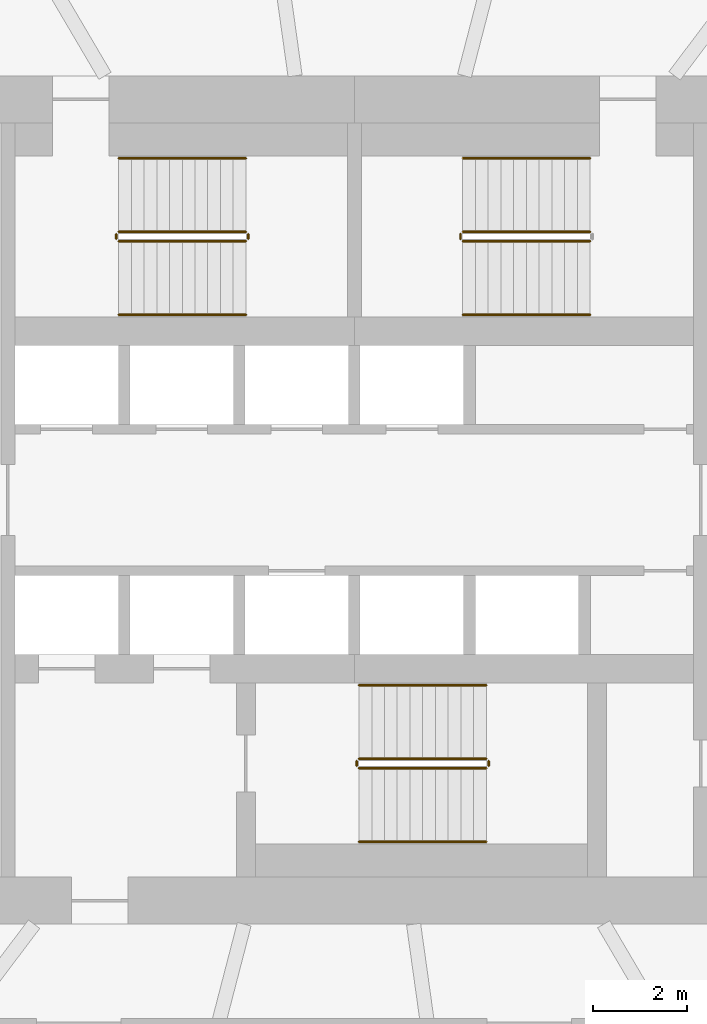
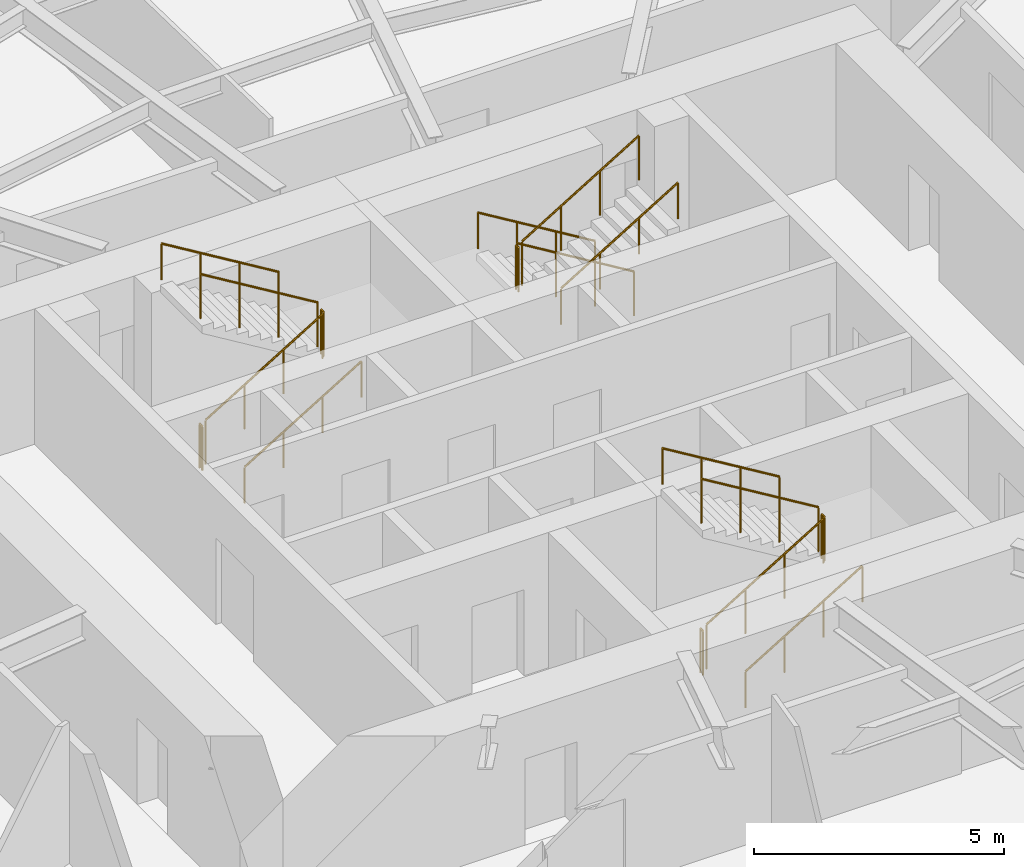
# One storey, part 13 of 16: 17 railings.
"""IFC4 building model written with IfcOpenShell, lengths in metres."""

from ifc_helpers import new_model, si_unit, direction, frame, origin, origin_2d, place, context, subcontext, project, spatial, circle, extrude, material, type_object, element, save


model = new_model("IFC4")

# Units and contexts
model_context = context("Model", 3, precision=1e-05, world=origin(), true_north=direction((0.0, 1.0)))
body_context = subcontext(model_context, "Body", "Model", "MODEL_VIEW")
ifc_project = project(units=[si_unit("LENGTHUNIT", "METRE"), si_unit("AREAUNIT", "SQUARE_METRE"), si_unit("VOLUMEUNIT", "CUBIC_METRE"), si_unit("PLANEANGLEUNIT", "RADIAN"), si_unit("MASSUNIT", "GRAM", prefix="KILO")], contexts=[model_context])

# Site, building, storey
site_placement = place(None, origin())
site = spatial("IfcSite", under=ifc_project, at=site_placement, CompositionType="ELEMENT")
building_placement = place(site_placement, origin())
building = spatial("IfcBuilding", under=site, at=building_placement, Name="Vermilion Reach Broadcast Tower", CompositionType="ELEMENT")
storey_placement = place(building_placement, frame((0.0, 0.0, 110.199951171875)))
storey = spatial("IfcBuildingStorey", under=building, at=storey_placement, Name="L25", CompositionType="ELEMENT", Elevation=110.199951171875)

# Railings
ifc_material_1 = material(Name="Stainless steel", Category="steel")
railing_type_1 = type_object("IfcRailingType", Name="Stair guard 1100", PredefinedType="GUARDRAIL", material=ifc_material_1)
railing_1_placement = place(storey_placement, frame((-11.0, 5.489990234375, 0.16357421875)))
element("IfcRailing", 1, at=railing_1_placement, inside=storey, type_object=railing_type_1, Name="L25 ST1 stair guard 1", PredefinedType="GUARDRAIL", context=body_context, shape_type="SweptSolid", body=[
    extrude(circle(Radius=0.02392578125, at=origin_2d()), frame((0.0, 0.0, 1.076171875), z_axis=(0.855178096276, 0.0, 0.518334277904), x_axis=(0.0, 1.0, 0.0)), (0.0, 0.0, 1.0), 3.1572265625),
    extrude(circle(Radius=0.02099609375, at=origin_2d()), origin(), (0.0, 0.0, 1.0), 1.052001953125),
    extrude(circle(Radius=0.02099609375, at=origin_2d()), frame((0.89990234375, 0.0, 0.54541015625)), (0.0, 0.0, 1.0), 1.052001953125),
    extrude(circle(Radius=0.02099609375, at=origin_2d()), frame((1.800048828125, 0.0, 1.091064453125)), (0.0, 0.0, 1.0), 1.052001953125),
    extrude(circle(Radius=0.02099609375, at=origin_2d()), frame((2.699951171875, 0.0, 1.636474609375)), (0.0, 0.0, 1.0), 1.052001953125),
])
railing_2_placement = place(storey_placement, frame((-8.25, 5.5400390625, 1.800048828125)))
element("IfcRailing", 2, at=railing_2_placement, inside=storey, type_object=railing_type_1, Name="L25 ST1 stair guard 2", PredefinedType="GUARDRAIL", context=body_context, shape_type="SweptSolid", body=[
    extrude(circle(Radius=0.02392578125, at=origin_2d()), frame((0.0, 0.0, 1.076171875), z_axis=(0.0, 1.0, 0.0), x_axis=(-1.0, 0.0, 0.0)), (0.0, 0.0, 1.0), 0.099853515625),
    extrude(circle(Radius=0.02099609375, at=origin_2d()), origin(), (0.0, 0.0, 1.0), 1.052001953125),
    extrude(circle(Radius=0.02099609375, at=origin_2d()), frame((0.0, 0.099853515625, 0.0)), (0.0, 0.0, 1.0), 1.052001953125),
])
railing_3_placement = place(storey_placement, frame((-8.300048828125, 5.68994140625, 1.963623046875)))
element("IfcRailing", 3, at=railing_3_placement, inside=storey, type_object=railing_type_1, Name="L25 ST1 stair guard 3", PredefinedType="GUARDRAIL", context=body_context, shape_type="SweptSolid", body=[
    extrude(circle(Radius=0.02392578125, at=origin_2d()), frame((0.0, 0.0, 1.076171875), z_axis=(-0.855178096276, 0.0, 0.518334277904), x_axis=(0.0, -1.0, 0.0)), (0.0, 0.0, 1.0), 3.1572265625),
    extrude(circle(Radius=0.02099609375, at=origin_2d()), origin(), (0.0, 0.0, 1.0), 1.052001953125),
    extrude(circle(Radius=0.02099609375, at=origin_2d()), frame((-0.89990234375, 0.0, 0.54541015625)), (0.0, 0.0, 1.0), 1.052001953125),
    extrude(circle(Radius=0.02099609375, at=origin_2d()), frame((-1.800048828125, 0.0, 1.091064453125)), (0.0, 0.0, 1.0), 1.052001953125),
    extrude(circle(Radius=0.02099609375, at=origin_2d()), frame((-2.699951171875, 0.0, 1.636474609375)), (0.0, 0.0, 1.0), 1.052001953125),
])
railing_4_placement = place(storey_placement, frame((-11.050048828125, 5.5400390625, 0.0)))
element("IfcRailing", 4, at=railing_4_placement, inside=storey, type_object=railing_type_1, Name="L25 ST1 stair guard 4", PredefinedType="GUARDRAIL", context=body_context, shape_type="SweptSolid", body=[
    extrude(circle(Radius=0.02392578125, at=origin_2d()), frame((0.0, 0.0, 1.076171875), z_axis=(0.0, 1.0, 0.0), x_axis=(-1.0, 0.0, 0.0)), (0.0, 0.0, 1.0), 0.099853515625),
    extrude(circle(Radius=0.02099609375, at=origin_2d()), origin(), (0.0, 0.0, 1.0), 1.052001953125),
    extrude(circle(Radius=0.02099609375, at=origin_2d()), frame((0.0, 0.099853515625, 0.0)), (0.0, 0.0, 1.0), 1.052001953125),
])
railing_5_placement = place(storey_placement, frame((-1.0, 5.68994140625, 0.16357421875)))
element("IfcRailing", 5, at=railing_5_placement, inside=storey, type_object=railing_type_1, Name="L25 ST2 stair guard 1", PredefinedType="GUARDRAIL", context=body_context, shape_type="SweptSolid", body=[
    extrude(circle(Radius=0.02392578125, at=origin_2d()), frame((0.0, 0.0, 1.076171875), z_axis=(-0.855178096276, 0.0, 0.518334277904), x_axis=(0.0, -1.0, 0.0)), (0.0, 0.0, 1.0), 3.1572265625),
    extrude(circle(Radius=0.02099609375, at=origin_2d()), origin(), (0.0, 0.0, 1.0), 1.052001953125),
    extrude(circle(Radius=0.02099609375, at=origin_2d()), frame((-0.89990234375, 0.0, 0.54541015625)), (0.0, 0.0, 1.0), 1.052001953125),
    extrude(circle(Radius=0.02099609375, at=origin_2d()), frame((-1.800048828125, 0.0, 1.091064453125)), (0.0, 0.0, 1.0), 1.052001953125),
    extrude(circle(Radius=0.02099609375, at=origin_2d()), frame((-2.699951171875, 0.0, 1.636474609375)), (0.0, 0.0, 1.0), 1.052001953125),
])
railing_6_placement = place(storey_placement, frame((-3.75, 5.639892578125, 1.800048828125)))
element("IfcRailing", 6, at=railing_6_placement, inside=storey, type_object=railing_type_1, Name="L25 ST2 stair guard 2", PredefinedType="GUARDRAIL", context=body_context, shape_type="SweptSolid", body=[
    extrude(circle(Radius=0.02392578125, at=origin_2d()), frame((0.0, 0.0, 1.076171875), z_axis=(0.0, -1.0, 0.0), x_axis=(1.0, 0.0, 0.0)), (0.0, 0.0, 1.0), 0.099853515625),
    extrude(circle(Radius=0.02099609375, at=origin_2d()), origin(), (0.0, 0.0, 1.0), 1.052001953125),
    extrude(circle(Radius=0.02099609375, at=origin_2d()), frame((0.0, -0.099853515625, 0.0)), (0.0, 0.0, 1.0), 1.052001953125),
])
for number, where, name in (
    (7, (-3.699951171875, 5.489990234375, 1.963623046875), "L25 ST2 stair guard 3"),
    (8, (-5.89990234375, -5.68994140625, 0.16357421875), "L25 ST3 stair guard 1"),
):
    element("IfcRailing", number, at=place(storey_placement, frame(where)), inside=storey, type_object=railing_type_1, Name=name, PredefinedType="GUARDRAIL", context=body_context, shape_type="SweptSolid", body=[
        extrude(circle(Radius=0.02392578125, at=origin_2d()), frame((0.0, 0.0, 1.076171875), z_axis=(0.855178096276, 0.0, 0.518334277904), x_axis=(0.0, 1.0, 0.0)), (0.0, 0.0, 1.0), 3.1572265625),
        extrude(circle(Radius=0.02099609375, at=origin_2d()), origin(), (0.0, 0.0, 1.0), 1.052001953125),
        extrude(circle(Radius=0.02099609375, at=origin_2d()), frame((0.89990234375, 0.0, 0.54541015625)), (0.0, 0.0, 1.0), 1.052001953125),
        extrude(circle(Radius=0.02099609375, at=origin_2d()), frame((1.800048828125, 0.0, 1.091064453125)), (0.0, 0.0, 1.0), 1.052001953125),
        extrude(circle(Radius=0.02099609375, at=origin_2d()), frame((2.699951171875, 0.0, 1.636474609375)), (0.0, 0.0, 1.0), 1.052001953125),
    ])
railing_7_placement = place(storey_placement, frame((-3.14990234375, -5.639892578125, 1.800048828125)))
element("IfcRailing", 9, at=railing_7_placement, inside=storey, type_object=railing_type_1, Name="L25 ST3 stair guard 2", PredefinedType="GUARDRAIL", context=body_context, shape_type="SweptSolid", body=[
    extrude(circle(Radius=0.02392578125, at=origin_2d()), frame((0.0, 0.0, 1.076171875), z_axis=(0.0, 1.0, 0.0), x_axis=(-1.0, 0.0, 0.0)), (0.0, 0.0, 1.0), 0.099853515625),
    extrude(circle(Radius=0.02099609375, at=origin_2d()), origin(), (0.0, 0.0, 1.0), 1.052001953125),
    extrude(circle(Radius=0.02099609375, at=origin_2d()), frame((0.0, 0.099853515625, 0.0)), (0.0, 0.0, 1.0), 1.052001953125),
])
railing_8_placement = place(storey_placement, frame((-3.199951171875, -5.489990234375, 1.963623046875)))
element("IfcRailing", 10, at=railing_8_placement, inside=storey, type_object=railing_type_1, Name="L25 ST3 stair guard 3", PredefinedType="GUARDRAIL", context=body_context, shape_type="SweptSolid", body=[
    extrude(circle(Radius=0.02392578125, at=origin_2d()), frame((0.0, 0.0, 1.076171875), z_axis=(-0.855178096276, 0.0, 0.518334277904), x_axis=(0.0, -1.0, 0.0)), (0.0, 0.0, 1.0), 3.1572265625),
    extrude(circle(Radius=0.02099609375, at=origin_2d()), origin(), (0.0, 0.0, 1.0), 1.052001953125),
    extrude(circle(Radius=0.02099609375, at=origin_2d()), frame((-0.89990234375, 0.0, 0.54541015625)), (0.0, 0.0, 1.0), 1.052001953125),
    extrude(circle(Radius=0.02099609375, at=origin_2d()), frame((-1.800048828125, 0.0, 1.091064453125)), (0.0, 0.0, 1.0), 1.052001953125),
    extrude(circle(Radius=0.02099609375, at=origin_2d()), frame((-2.699951171875, 0.0, 1.636474609375)), (0.0, 0.0, 1.0), 1.052001953125),
])
railing_9_placement = place(storey_placement, frame((-5.949951171875, -5.639892578125, 0.0)))
element("IfcRailing", 11, at=railing_9_placement, inside=storey, type_object=railing_type_1, Name="L25 ST3 stair guard 4", PredefinedType="GUARDRAIL", context=body_context, shape_type="SweptSolid", body=[
    extrude(circle(Radius=0.02392578125, at=origin_2d()), frame((0.0, 0.0, 1.076171875), z_axis=(0.0, 1.0, 0.0), x_axis=(-1.0, 0.0, 0.0)), (0.0, 0.0, 1.0), 0.099853515625),
    extrude(circle(Radius=0.02099609375, at=origin_2d()), origin(), (0.0, 0.0, 1.0), 1.052001953125),
    extrude(circle(Radius=0.02099609375, at=origin_2d()), frame((0.0, 0.099853515625, 0.0)), (0.0, 0.0, 1.0), 1.052001953125),
])
ifc_material_2 = material(Name="Stainless steel", Category="steel")
railing_type_2 = type_object("IfcRailingType", Name="Stair handrail", PredefinedType="HANDRAIL", material=ifc_material_2)
railing_10_placement = place(storey_placement, frame((-11.0, 3.929931640625, 0.16357421875)))
element("IfcRailing", 12, at=railing_10_placement, inside=storey, type_object=railing_type_2, Name="L25 ST1 stair handrail 1", PredefinedType="HANDRAIL", context=body_context, shape_type="SweptSolid", body=[
    extrude(circle(Radius=0.02392578125, at=origin_2d()), frame((0.0, 0.0, 0.8759765625), z_axis=(0.855178096276, 0.0, 0.518334277904), x_axis=(0.0, 1.0, 0.0)), (0.0, 0.0, 1.0), 3.1572265625),
    extrude(circle(Radius=0.02099609375, at=origin_2d()), origin(), (0.0, 0.0, 1.0), 0.851806640625),
    extrude(circle(Radius=0.02099609375, at=origin_2d()), frame((0.89990234375, 0.0, 0.54541015625)), (0.0, 0.0, 1.0), 0.851806640625),
    extrude(circle(Radius=0.02099609375, at=origin_2d()), frame((1.800048828125, 0.0, 1.091064453125)), (0.0, 0.0, 1.0), 0.851806640625),
    extrude(circle(Radius=0.02099609375, at=origin_2d()), frame((2.699951171875, 0.0, 1.636474609375)), (0.0, 0.0, 1.0), 0.851806640625),
])
for number, where, name in (
    (13, (-8.300048828125, 7.25, 1.963623046875), "L25 ST1 stair handrail 2"),
    (14, (-1.0, 7.25, 0.16357421875), "L25 ST2 stair handrail 1"),
):
    element("IfcRailing", number, at=place(storey_placement, frame(where)), inside=storey, type_object=railing_type_2, Name=name, PredefinedType="HANDRAIL", context=body_context, shape_type="SweptSolid", body=[
        extrude(circle(Radius=0.02392578125, at=origin_2d()), frame((0.0, 0.0, 0.8759765625), z_axis=(-0.855178096276, 0.0, 0.518334277904), x_axis=(0.0, -1.0, 0.0)), (0.0, 0.0, 1.0), 3.1572265625),
        extrude(circle(Radius=0.02099609375, at=origin_2d()), origin(), (0.0, 0.0, 1.0), 0.851806640625),
        extrude(circle(Radius=0.02099609375, at=origin_2d()), frame((-0.89990234375, 0.0, 0.54541015625)), (0.0, 0.0, 1.0), 0.851806640625),
        extrude(circle(Radius=0.02099609375, at=origin_2d()), frame((-1.800048828125, 0.0, 1.091064453125)), (0.0, 0.0, 1.0), 0.851806640625),
        extrude(circle(Radius=0.02099609375, at=origin_2d()), frame((-2.699951171875, 0.0, 1.636474609375)), (0.0, 0.0, 1.0), 0.851806640625),
    ])
for number, where, name in (
    (15, (-3.699951171875, 3.929931640625, 1.963623046875), "L25 ST2 stair handrail 2"),
    (16, (-5.89990234375, -7.25, 0.16357421875), "L25 ST3 stair handrail 1"),
):
    element("IfcRailing", number, at=place(storey_placement, frame(where)), inside=storey, type_object=railing_type_2, Name=name, PredefinedType="HANDRAIL", context=body_context, shape_type="SweptSolid", body=[
        extrude(circle(Radius=0.02392578125, at=origin_2d()), frame((0.0, 0.0, 0.8759765625), z_axis=(0.855178096276, 0.0, 0.518334277904), x_axis=(0.0, 1.0, 0.0)), (0.0, 0.0, 1.0), 3.1572265625),
        extrude(circle(Radius=0.02099609375, at=origin_2d()), origin(), (0.0, 0.0, 1.0), 0.851806640625),
        extrude(circle(Radius=0.02099609375, at=origin_2d()), frame((0.89990234375, 0.0, 0.54541015625)), (0.0, 0.0, 1.0), 0.851806640625),
        extrude(circle(Radius=0.02099609375, at=origin_2d()), frame((1.800048828125, 0.0, 1.091064453125)), (0.0, 0.0, 1.0), 0.851806640625),
        extrude(circle(Radius=0.02099609375, at=origin_2d()), frame((2.699951171875, 0.0, 1.636474609375)), (0.0, 0.0, 1.0), 0.851806640625),
    ])
railing_11_placement = place(storey_placement, frame((-3.199951171875, -3.929931640625, 1.963623046875)))
element("IfcRailing", 17, at=railing_11_placement, inside=storey, type_object=railing_type_2, Name="L25 ST3 stair handrail 2", PredefinedType="HANDRAIL", context=body_context, shape_type="SweptSolid", body=[
    extrude(circle(Radius=0.02392578125, at=origin_2d()), frame((0.0, 0.0, 0.8759765625), z_axis=(-0.855178096276, 0.0, 0.518334277904), x_axis=(0.0, -1.0, 0.0)), (0.0, 0.0, 1.0), 3.1572265625),
    extrude(circle(Radius=0.02099609375, at=origin_2d()), origin(), (0.0, 0.0, 1.0), 0.851806640625),
    extrude(circle(Radius=0.02099609375, at=origin_2d()), frame((-0.89990234375, 0.0, 0.54541015625)), (0.0, 0.0, 1.0), 0.851806640625),
    extrude(circle(Radius=0.02099609375, at=origin_2d()), frame((-1.800048828125, 0.0, 1.091064453125)), (0.0, 0.0, 1.0), 0.851806640625),
    extrude(circle(Radius=0.02099609375, at=origin_2d()), frame((-2.699951171875, 0.0, 1.636474609375)), (0.0, 0.0, 1.0), 0.851806640625),
])

save(model, "model.ifc")
